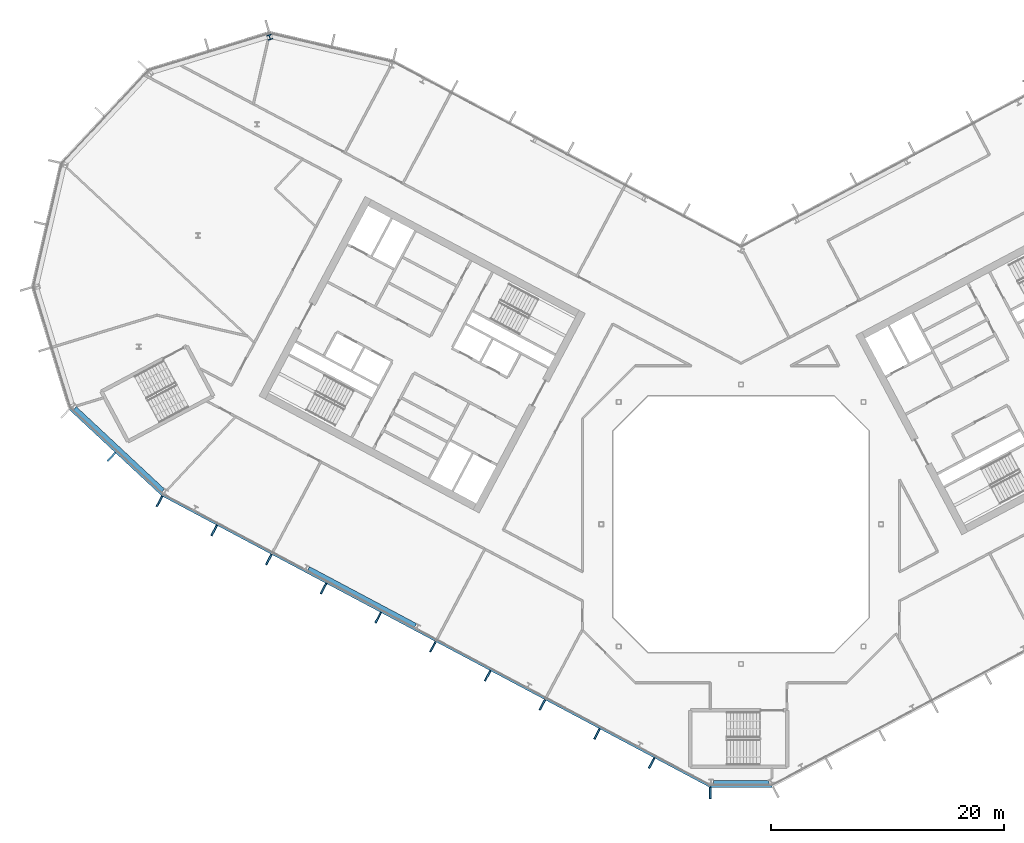
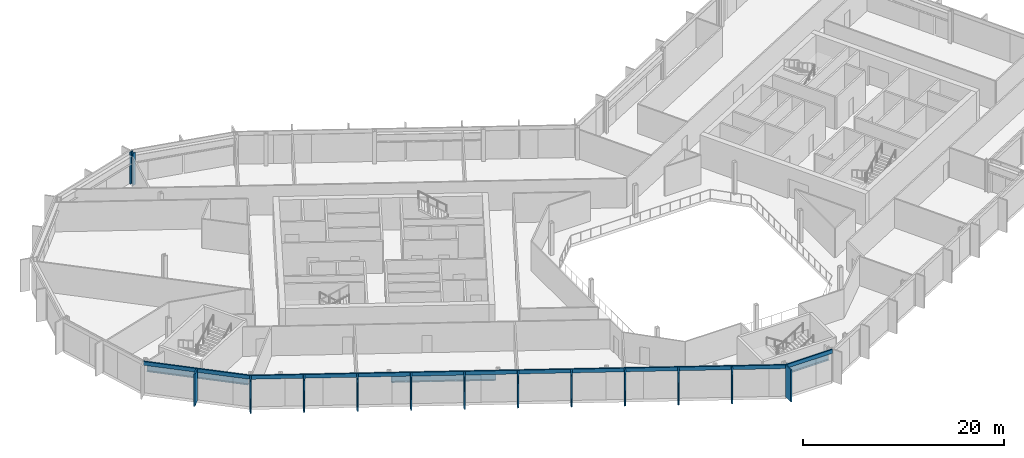
# One storey, part 8 of 27: 15 members, 3 beams, 1 column, 3 elements without a shape of their own.
"""IFC4 building model written with IfcOpenShell, lengths in metres."""

from ifc_helpers import new_model, si_unit, direction, frame, origin, origin_2d, place, context, subcontext, project, spatial, rectangle, i_section, extrude, material, layer, layer_set, material_profile, profile_set, type_object, element, aggregate, save


model = new_model("IFC4")

# Units and contexts
model_context = context("Model", 3, precision=1e-05, world=origin(), true_north=direction((0.0, 1.0)))
body_context = subcontext(model_context, "Body", "Model", "MODEL_VIEW")
ifc_project = project(units=[si_unit("LENGTHUNIT", "METRE"), si_unit("AREAUNIT", "SQUARE_METRE"), si_unit("VOLUMEUNIT", "CUBIC_METRE"), si_unit("PLANEANGLEUNIT", "RADIAN"), si_unit("MASSUNIT", "GRAM", prefix="KILO")], contexts=[model_context])

# Site, building, storey
site_placement = place(None, origin())
site = spatial("IfcSite", under=ifc_project, at=site_placement, CompositionType="ELEMENT")
building_placement = place(site_placement, origin())
building = spatial("IfcBuilding", under=site, at=building_placement, Name="Cormorant Relay Tower", CompositionType="ELEMENT")
storey_placement = place(building_placement, frame((0.0, 0.0, 224.699951171875)))
storey = spatial("IfcBuildingStorey", under=building, at=storey_placement, Name="L49", CompositionType="ELEMENT", Elevation=224.699951171875)

# Column
ifc_material_1 = material(Name="Steel ASTM A992 (Fy 345 MPa)", Category="steel")
ifc_material_profile_1 = material_profile(ifc_material_1, i_section(OverallWidth=0.41162109375, OverallDepth=0.434326171875, WebThickness=0.035888671875, FlangeThickness=0.057373046875, FilletRadius=0.01513671875, at=origin_2d()), Name="W360x463")
ifc_profile_set_1 = profile_set([ifc_material_profile_1], Name="Steel ASTM A992 (Fy 345 MPa)")
column_type = type_object("IfcColumnType", Name="Column W360x463", PredefinedType="COLUMN", material=ifc_profile_set_1)
column_placement = place(storey_placement, frame((-40.455078125, 41.803955078125, 0.0), z_axis=(0.0, 0.0, 1.0), x_axis=(-0.956304755963, -0.292371704723, 0.0)))
element("IfcColumn", 1, at=column_placement, inside=storey, type_object=column_type, Name="Column L49-045", PredefinedType="COLUMN", context=body_context, shape_type="SweptSolid", body=[
    extrude(i_section(OverallWidth=0.41162109375, OverallDepth=0.434326171875, WebThickness=0.035888671875, FlangeThickness=0.057373046875, FilletRadius=0.01513671875, at=origin_2d()), origin(), (0.0, 0.0, 1.0), 3.900146484375),
])

# Curtain wall, member
ifc_material_2 = material(Name="Aluminium 6063-T6 anodised bronze", Category="aluminium")
ifc_layer = layer(ifc_material_2, 0.199951171875)
ifc_layer_set = layer_set([ifc_layer], Name="CW1 unitised bronze curtain wall with vertical fins")
curtain_wall_type = type_object("IfcCurtainWallType", Name="CW1 unitised bronze curtain wall with vertical fins", PredefinedType="NOTDEFINED", material=ifc_layer_set)
curtain_wall_1_placement = place(storey_placement, origin())
curtain_wall_1 = element("IfcCurtainWall", 2, at=curtain_wall_1_placement, inside=storey, type_object=curtain_wall_type, Name="CW1 curtain wall 1", PredefinedType="NOTDEFINED")
ifc_material_3 = material(Name="Aluminium 6063-T6 anodised bronze", Category="aluminium")
ifc_material_profile_2 = material_profile(ifc_material_3, rectangle(XDim=0.14990234375, YDim=1.0, at=origin_2d()), Name="AL 150x1000")
ifc_profile_set_2 = profile_set([ifc_material_profile_2], Name="Aluminium 6063-T6 anodised bronze")
member_type_1 = type_object("IfcMemberType", Name="CW1 bronze fin mullion 150 x 1000", PredefinedType="MULLION", material=ifc_profile_set_2)
member_1_placement = place(storey_placement, frame((-2.648681640625, -23.07568359375, 0.0), z_axis=(0.0, 0.0, 1.0), x_axis=(1.0, 0.0, 0.0)))
member_1 = element("IfcMember", 3, at=member_1_placement, type_object=member_type_1, Name="CW1 fin 1.1", PredefinedType="MULLION", context=body_context, shape_type="SweptSolid", body=[
    extrude(rectangle(XDim=0.14990234375, YDim=1.0, at=origin_2d()), origin(), (0.0, 0.0, 1.0), 3.900146484375),
])

curtain_wall_2_placement = place(storey_placement, origin())
curtain_wall_2 = element("IfcCurtainWall", 4, at=curtain_wall_2_placement, inside=storey, type_object=curtain_wall_type, Name="CW1 curtain wall 15", PredefinedType="NOTDEFINED")
member_2_placement = place(storey_placement, frame((-54.0439453125, 5.779296875, 0.0), z_axis=(0.0, 0.0, 1.0), x_axis=(0.731353701619, -0.681998360062, 0.0)))
member_2 = element("IfcMember", 5, at=member_2_placement, type_object=member_type_1, Name="CW1 fin 15.2", PredefinedType="MULLION", context=body_context, shape_type="SweptSolid", body=[
    extrude(rectangle(XDim=0.14990234375, YDim=1.0, at=origin_2d()), origin(), (0.0, 0.0, 1.0), 3.900146484375),
])

# Curtain wall, members
curtain_wall_3_placement = place(storey_placement, origin())
curtain_wall_3 = element("IfcCurtainWall", 6, at=curtain_wall_3_placement, inside=storey, type_object=curtain_wall_type, Name="CW1 curtain wall 16", PredefinedType="NOTDEFINED")
member_3_placement = place(storey_placement, frame((-49.920166015625, 1.96630859375, 0.0), z_axis=(0.0, 0.0, 1.0), x_axis=(0.882947592859, -0.469471562786, 0.0)))
member_3 = element("IfcMember", 7, at=member_3_placement, type_object=member_type_1, Name="CW1 fin 16.1", PredefinedType="MULLION", context=body_context, shape_type="SweptSolid", body=[
    extrude(rectangle(XDim=0.14990234375, YDim=1.0, at=origin_2d()), origin(), (0.0, 0.0, 1.0), 3.900146484375),
])
member_4_placement = place(storey_placement, frame((-45.225830078125, -0.52978515625, 0.0), z_axis=(0.0, 0.0, 1.0), x_axis=(0.882947592859, -0.469471562786, 0.0)))
member_4 = element("IfcMember", 8, at=member_4_placement, type_object=member_type_1, Name="CW1 fin 16.2", PredefinedType="MULLION", context=body_context, shape_type="SweptSolid", body=[
    extrude(rectangle(XDim=0.14990234375, YDim=1.0, at=origin_2d()), origin(), (0.0, 0.0, 1.0), 3.900146484375),
])
member_5_placement = place(storey_placement, frame((-40.531494140625, -3.025634765625, 0.0), z_axis=(0.0, 0.0, 1.0), x_axis=(0.882947592859, -0.469471562786, 0.0)))
member_5 = element("IfcMember", 9, at=member_5_placement, type_object=member_type_1, Name="CW1 fin 16.3", PredefinedType="MULLION", context=body_context, shape_type="SweptSolid", body=[
    extrude(rectangle(XDim=0.14990234375, YDim=1.0, at=origin_2d()), origin(), (0.0, 0.0, 1.0), 3.900146484375),
])
member_6_placement = place(storey_placement, frame((-35.83740234375, -5.521728515625, 0.0), z_axis=(0.0, 0.0, 1.0), x_axis=(0.882947592859, -0.469471562786, 0.0)))
member_6 = element("IfcMember", 10, at=member_6_placement, type_object=member_type_1, Name="CW1 fin 16.4", PredefinedType="MULLION", context=body_context, shape_type="SweptSolid", body=[
    extrude(rectangle(XDim=0.14990234375, YDim=1.0, at=origin_2d()), origin(), (0.0, 0.0, 1.0), 3.900146484375),
])
member_7_placement = place(storey_placement, frame((-31.14306640625, -8.017578125, 0.0), z_axis=(0.0, 0.0, 1.0), x_axis=(0.882947592859, -0.469471562786, 0.0)))
member_7 = element("IfcMember", 11, at=member_7_placement, type_object=member_type_1, Name="CW1 fin 16.5", PredefinedType="MULLION", context=body_context, shape_type="SweptSolid", body=[
    extrude(rectangle(XDim=0.14990234375, YDim=1.0, at=origin_2d()), origin(), (0.0, 0.0, 1.0), 3.900146484375),
])
member_8_placement = place(storey_placement, frame((-26.44873046875, -10.513671875, 0.0), z_axis=(0.0, 0.0, 1.0), x_axis=(0.882947592859, -0.469471562786, 0.0)))
member_8 = element("IfcMember", 12, at=member_8_placement, type_object=member_type_1, Name="CW1 fin 16.6", PredefinedType="MULLION", context=body_context, shape_type="SweptSolid", body=[
    extrude(rectangle(XDim=0.14990234375, YDim=1.0, at=origin_2d()), origin(), (0.0, 0.0, 1.0), 3.900146484375),
])
member_9_placement = place(storey_placement, frame((-21.754638671875, -13.009765625, 0.0), z_axis=(0.0, 0.0, 1.0), x_axis=(0.882947592859, -0.469471562786, 0.0)))
member_9 = element("IfcMember", 13, at=member_9_placement, type_object=member_type_1, Name="CW1 fin 16.7", PredefinedType="MULLION", context=body_context, shape_type="SweptSolid", body=[
    extrude(rectangle(XDim=0.14990234375, YDim=1.0, at=origin_2d()), origin(), (0.0, 0.0, 1.0), 3.900146484375),
])
member_10_placement = place(storey_placement, frame((-17.060302734375, -15.505615234375, 0.0), z_axis=(0.0, 0.0, 1.0), x_axis=(0.882947592859, -0.469471562786, 0.0)))
member_10 = element("IfcMember", 14, at=member_10_placement, type_object=member_type_1, Name="CW1 fin 16.8", PredefinedType="MULLION", context=body_context, shape_type="SweptSolid", body=[
    extrude(rectangle(XDim=0.14990234375, YDim=1.0, at=origin_2d()), origin(), (0.0, 0.0, 1.0), 3.900146484375),
])
member_11_placement = place(storey_placement, frame((-12.365966796875, -18.001708984375, 0.0), z_axis=(0.0, 0.0, 1.0), x_axis=(0.882947592859, -0.469471562786, 0.0)))
member_11 = element("IfcMember", 15, at=member_11_placement, type_object=member_type_1, Name="CW1 fin 16.9", PredefinedType="MULLION", context=body_context, shape_type="SweptSolid", body=[
    extrude(rectangle(XDim=0.14990234375, YDim=1.0, at=origin_2d()), origin(), (0.0, 0.0, 1.0), 3.900146484375),
])
member_12_placement = place(storey_placement, frame((-7.671630859375, -20.49755859375, 0.0), z_axis=(0.0, 0.0, 1.0), x_axis=(0.882947592859, -0.469471562786, 0.0)))
member_12 = element("IfcMember", 16, at=member_12_placement, type_object=member_type_1, Name="CW1 fin 16.10", PredefinedType="MULLION", context=body_context, shape_type="SweptSolid", body=[
    extrude(rectangle(XDim=0.14990234375, YDim=1.0, at=origin_2d()), origin(), (0.0, 0.0, 1.0), 3.900146484375),
])

# Member
ifc_material_4 = material(Name="Aluminium 6063-T6 anodised bronze", Category="aluminium")
ifc_material_profile_3 = material_profile(ifc_material_4, rectangle(XDim=0.159912109375, YDim=0.449951171875, at=origin_2d()), Name="AL 160x450")
ifc_profile_set_3 = profile_set([ifc_material_profile_3], Name="Aluminium 6063-T6 anodised bronze")
member_type_2 = type_object("IfcMemberType", Name="CW1 bronze transom 160 x 450", PredefinedType="USERDEFINED", material=ifc_profile_set_3)
member_13_placement = place(storey_placement, frame((-2.648681640625, -22.49560546875, 3.675048828125), z_axis=(1.0, 0.0, 0.0), x_axis=(0.0, 1.0, 0.0)))
member_13 = element("IfcMember", 17, at=member_13_placement, type_object=member_type_2, Name="CW1 transom 1", ObjectType="TRANSOM", PredefinedType="USERDEFINED", context=body_context, shape_type="SweptSolid", body=[
    extrude(rectangle(XDim=0.159912109375, YDim=0.449951171875, at=origin_2d()), origin(), (0.0, 0.0, 1.0), 5.29736328125),
])

aggregate(curtain_wall_1, [member_1, member_13])

member_14_placement = place(storey_placement, frame((-57.62353515625, 9.91015625, 3.675048828125), z_axis=(0.731358420696, -0.681993299437, 0.0), x_axis=(0.681993299437, 0.731358420696, 0.0)))
member_14 = element("IfcMember", 18, at=member_14_placement, type_object=member_type_2, Name="CW1 transom 15", ObjectType="TRANSOM", PredefinedType="USERDEFINED", context=body_context, shape_type="SweptSolid", body=[
    extrude(rectangle(XDim=0.159912109375, YDim=0.449951171875, at=origin_2d()), origin(), (0.0, 0.0, 1.0), 10.870361328125),
])

aggregate(curtain_wall_2, [member_2, member_14])

member_15_placement = place(storey_placement, frame((-49.64794921875, 2.478515625, 3.675048828125), z_axis=(0.882947642542, -0.469471469346, 0.0), x_axis=(0.469471469346, 0.882947642542, 0.0)))
member_15 = element("IfcMember", 19, at=member_15_placement, type_object=member_type_2, Name="CW1 transom 16", ObjectType="TRANSOM", PredefinedType="USERDEFINED", context=body_context, shape_type="SweptSolid", body=[
    extrude(rectangle(XDim=0.159912109375, YDim=0.449951171875, at=origin_2d()), origin(), (0.0, 0.0, 1.0), 53.166015625),
])

aggregate(curtain_wall_3, [member_3, member_4, member_5, member_6, member_7, member_8, member_9, member_10, member_11, member_12, member_15])

# Beams
ifc_material_5 = material(Name="Steel ASTM A992 (Fy 345 MPa)", Category="steel")
ifc_material_profile_4 = material_profile(ifc_material_5, i_section(OverallWidth=0.4013671875, OverallDepth=0.990478515625, WebThickness=0.0166015625, FlangeThickness=0.031005859375, FilletRadius=0.030029296875, at=origin_2d()), Name="W1000x320")
ifc_profile_set_4 = profile_set([ifc_material_profile_4], Name="Steel ASTM A992 (Fy 345 MPa)")
beam_type = type_object("IfcBeamType", Name="Spandrel W1000x320", PredefinedType="SPANDREL", material=ifc_profile_set_4)
beam_1_placement = place(storey_placement, frame((-2.3701171875, -22.1748046875, 3.044677734375), z_axis=(1.0, 0.0, 0.0), x_axis=(0.0, 1.0, 0.0)))
element("IfcBeam", 20, at=beam_1_placement, inside=storey, type_object=beam_type, Name="Spandrel beam L49-001", PredefinedType="SPANDREL", context=body_context, shape_type="SweptSolid", body=[
    extrude(i_section(OverallWidth=0.4013671875, OverallDepth=0.990478515625, WebThickness=0.0166015625, FlangeThickness=0.031005859375, FilletRadius=0.030029296875, at=origin_2d()), origin(), (0.0, 0.0, 1.0), 4.761474609375),
])
beam_2_placement = place(storey_placement, frame((-57.19580078125, 9.94970703125, 3.044677734375), z_axis=(0.731351589689, -0.682000624824, 0.0), x_axis=(0.682000624824, 0.731351589689, 0.0)))
element("IfcBeam", 21, at=beam_2_placement, inside=storey, type_object=beam_type, Name="Spandrel beam L49-015", PredefinedType="SPANDREL", context=body_context, shape_type="SweptSolid", body=[
    extrude(i_section(OverallWidth=0.4013671875, OverallDepth=0.990478515625, WebThickness=0.0166015625, FlangeThickness=0.031005859375, FilletRadius=0.030029296875, at=origin_2d()), origin(), (0.0, 0.0, 1.0), 10.354248046875),
])
beam_3_placement = place(storey_placement, frame((-37.134033203125, -3.812255859375, 3.044677734375), z_axis=(0.882949648898, -0.469467695918, 0.0), x_axis=(0.469467695918, 0.882949648898, 0.0)))
element("IfcBeam", 22, at=beam_3_placement, inside=storey, type_object=beam_type, Name="Spandrel beam L49-016", PredefinedType="SPANDREL", context=body_context, shape_type="SweptSolid", body=[
    extrude(i_section(OverallWidth=0.4013671875, OverallDepth=0.990478515625, WebThickness=0.0166015625, FlangeThickness=0.031005859375, FilletRadius=0.030029296875, at=origin_2d()), origin(), (0.0, 0.0, 1.0), 10.39599609375),
])

save(model, "model.ifc")
